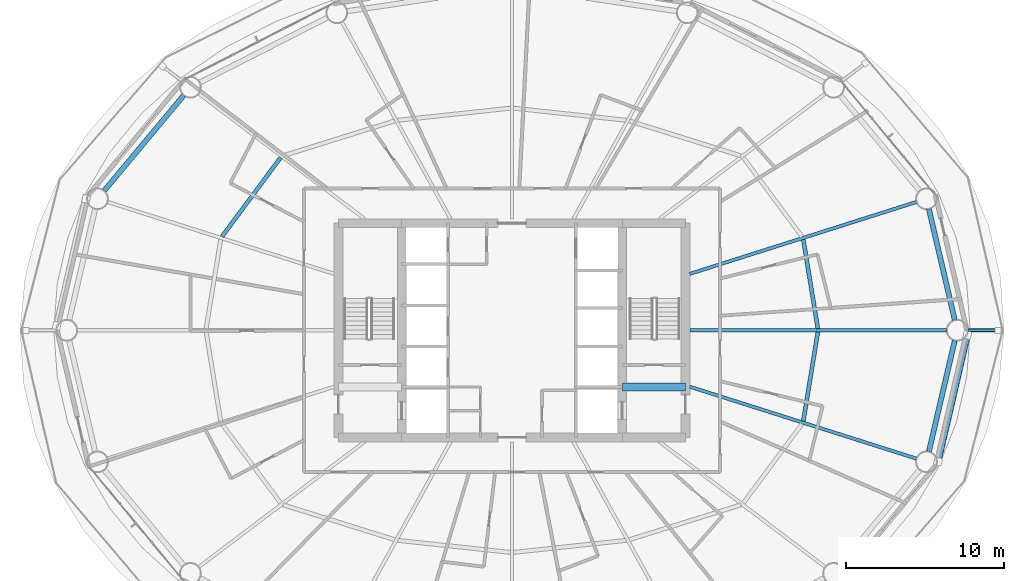
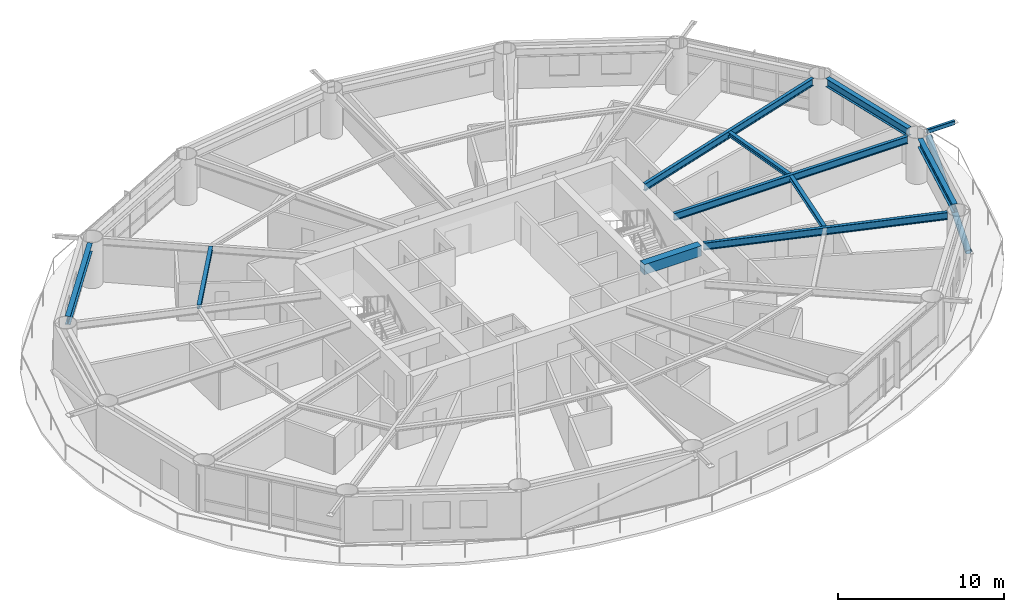
# One storey, part 7 of 24: 10 beams, 2 members.
"""IFC4 building model written with IfcOpenShell, lengths in metres."""

from ifc_helpers import new_model, si_unit, direction, frame, origin, origin_2d, place, context, subcontext, project, spatial, rectangle, hollow_rectangle, hollow_circle, i_section, extrude, material, material_profile, profile_set, type_object, element, save


model = new_model("IFC4")

# Units and contexts
model_context = context("Model", 3, precision=1e-05, world=origin(), true_north=direction((0.0, 1.0)))
body_context = subcontext(model_context, "Body", "Model", "MODEL_VIEW")
ifc_project = project(units=[si_unit("LENGTHUNIT", "METRE"), si_unit("AREAUNIT", "SQUARE_METRE"), si_unit("VOLUMEUNIT", "CUBIC_METRE"), si_unit("PLANEANGLEUNIT", "RADIAN"), si_unit("MASSUNIT", "GRAM", prefix="KILO")], contexts=[model_context])

# Site, building, storey
site_placement = place(None, origin())
site = spatial("IfcSite", under=ifc_project, at=site_placement, CompositionType="ELEMENT")
building_placement = place(site_placement, origin())
building = spatial("IfcBuilding", under=site, at=building_placement, Name="Sarneth Arch Tower", CompositionType="ELEMENT")
storey_placement = place(building_placement, frame((0.0, 0.0, 91.199951171875)))
storey = spatial("IfcBuildingStorey", under=building, at=storey_placement, Name="L22", CompositionType="ELEMENT", Elevation=91.199951171875)

# Beams
ifc_material_1 = material(Name="Steel S355", Category="steel")
ifc_material_profile_1 = material_profile(ifc_material_1, i_section(OverallWidth=0.25390625, OverallDepth=0.305908203125, WebThickness=0.0087890625, FlangeThickness=0.0146484375, FilletRadius=0.014892578125, at=origin_2d()), Name="W310x79")
ifc_profile_set_1 = profile_set([ifc_material_profile_1], Name="Steel S355")
beam_type_1 = type_object("IfcBeamType", Name="BM-JOIST-310A", PredefinedType="JOIST", material=ifc_profile_set_1)
beam_1_placement = place(storey_placement, frame((67.4013671875, 42.10400390625, 3.22705078125), z_axis=(-0.16120310833, 0.986921252109, 0.0), x_axis=(-0.986921252109, -0.16120310833, 0.0)))
element("IfcBeam", 1, at=beam_1_placement, inside=storey, type_object=beam_type_1, Name="L22 Secondary floor joist 01", PredefinedType="JOIST", context=body_context, shape_type="SweptSolid", body=[
    extrude(i_section(OverallWidth=0.25390625, OverallDepth=0.305908203125, WebThickness=0.0087890625, FlangeThickness=0.0146484375, FilletRadius=0.014892578125, at=origin_2d()), origin(), (0.0, 0.0, 1.0), 5.724853515625),
])
beam_2_placement = place(storey_placement, frame((33.32666015625, 52.956787109375, 3.22705078125), z_axis=(-0.596354224217, -0.80272139579, 0.0), x_axis=(0.80272139579, -0.596354224217, 0.0)))
element("IfcBeam", 2, at=beam_2_placement, inside=storey, type_object=beam_type_1, Name="L22 Secondary floor joist 07", PredefinedType="JOIST", context=body_context, shape_type="SweptSolid", body=[
    extrude(i_section(OverallWidth=0.25390625, OverallDepth=0.305908203125, WebThickness=0.0087890625, FlangeThickness=0.0146484375, FilletRadius=0.014892578125, at=origin_2d()), origin(), (0.0, 0.0, 1.0), 6.246337890625),
])
beam_3_placement = place(storey_placement, frame((66.478515625, 36.24609375, 3.22705078125), z_axis=(0.16120310833, 0.986921252109, 0.0), x_axis=(-0.986921252109, 0.16120310833, 0.0)))
element("IfcBeam", 3, at=beam_3_placement, inside=storey, type_object=beam_type_1, Name="L22 Secondary floor joist 16", PredefinedType="JOIST", context=body_context, shape_type="SweptSolid", body=[
    extrude(i_section(OverallWidth=0.25390625, OverallDepth=0.305908203125, WebThickness=0.0087890625, FlangeThickness=0.0146484375, FilletRadius=0.014892578125, at=origin_2d()), origin(), (0.0, 0.0, 1.0), 5.724853515625),
])
ifc_material_2 = material(Name="Concrete C50/60", Category="concrete")
ifc_material_profile_2 = material_profile(ifc_material_2, rectangle(XDim=0.5, YDim=0.75, at=origin_2d()), Name="RC-500x750")
ifc_profile_set_2 = profile_set([ifc_material_profile_2], Name="Concrete C50/60")
beam_type_2 = type_object("IfcBeamType", Name="BM-LINTEL-RC", PredefinedType="LINTEL", material=ifc_profile_set_2)
beam_4_placement = place(storey_placement, frame((55.0, 38.39990234375, 3.005126953125), z_axis=(1.0, 0.0, 0.0), x_axis=(0.0, 1.0, 0.0)))
element("IfcBeam", 4, at=beam_4_placement, inside=storey, type_object=beam_type_2, Name="L22 Core coupling lintel E", PredefinedType="LINTEL", context=body_context, shape_type="SweptSolid", body=[
    extrude(rectangle(XDim=0.5, YDim=0.75, at=origin_2d()), origin(), (0.0, 0.0, 1.0), 4.0),
])
ifc_material_3 = material(Name="Steel S355", Category="steel")
ifc_material_profile_3 = material_profile(ifc_material_3, i_section(OverallWidth=0.2109375, OverallDepth=0.5390625, WebThickness=0.01171875, FlangeThickness=0.018798828125, FilletRadius=0.01806640625, at=origin_2d()), Name="W530x109")
ifc_profile_set_3 = profile_set([ifc_material_profile_3], Name="Steel S355")
beam_type_3 = type_object("IfcBeamType", Name="BM-RAD-530B", PredefinedType="BEAM", material=ifc_profile_set_3)
beam_5_placement = place(storey_placement, frame((59.27490234375, 42.0, 3.110595703125), z_axis=(1.0, 0.0, 0.0), x_axis=(0.0, 1.0, 0.0)))
element("IfcBeam", 5, at=beam_5_placement, inside=storey, type_object=beam_type_3, Name="L22 Radial floor girder 01", PredefinedType="BEAM", context=body_context, shape_type="SweptSolid", body=[
    extrude(i_section(OverallWidth=0.2109375, OverallDepth=0.5390625, WebThickness=0.01171875, FlangeThickness=0.018798828125, FilletRadius=0.01806640625, at=origin_2d()), origin(), (0.0, 0.0, 1.0), 16.28662109375),
])
for number, where, z_axis, x_axis, name in (
    (6, (59.27490234375, 45.57763671875, 3.110595703125), (0.95316257761, 0.302458427958, 0.0), (-0.302458427958, 0.95316257761, 0.0), "L22 Radial floor girder 02"),
    (7, (59.27490234375, 38.42236328125, 3.110595703125), (0.95316257761, -0.302458427958, 0.0), (0.302458427958, 0.95316257761, 0.0), "L22 Radial floor girder 16"),
):
    element("IfcBeam", number, at=place(storey_placement, frame(where, z_axis=z_axis, x_axis=x_axis)), inside=storey, type_object=beam_type_3, Name=name, PredefinedType="BEAM", context=body_context, shape_type="SweptSolid", body=[
        extrude(i_section(OverallWidth=0.2109375, OverallDepth=0.5390625, WebThickness=0.01171875, FlangeThickness=0.018798828125, FilletRadius=0.01806640625, at=origin_2d()), origin(), (0.0, 0.0, 1.0), 15.0791015625),
    ])
ifc_material_4 = material(Name="Steel S355", Category="steel")
ifc_material_profile_4 = material_profile(ifc_material_4, i_section(OverallWidth=0.323974609375, OverallDepth=0.611083984375, WebThickness=0.0126953125, FlangeThickness=0.01904296875, FilletRadius=0.01904296875, at=origin_2d()), Name="W610x155")
ifc_profile_set_4 = profile_set([ifc_material_profile_4], Name="Steel S355")
beam_type_4 = type_object("IfcBeamType", Name="BM-SPAN-610B", PredefinedType="SPANDREL", material=ifc_profile_set_4)
beam_6_placement = place(storey_placement, frame((76.083251953125, 42.657470703125, 3.074462890625), z_axis=(-0.22708522689, 0.973874889156, 0.0), x_axis=(-0.973874889156, -0.22708522689, 0.0)))
element("IfcBeam", 8, at=beam_6_placement, inside=storey, type_object=beam_type_4, Name="L22 Perimeter spandrel beam 01", PredefinedType="SPANDREL", context=body_context, shape_type="SweptSolid", body=[
    extrude(i_section(OverallWidth=0.323974609375, OverallDepth=0.611083984375, WebThickness=0.0126953125, FlangeThickness=0.01904296875, FilletRadius=0.01904296875, at=origin_2d()), origin(), (0.0, 0.0, 1.0), 7.216064453125),
])
beam_7_placement = place(storey_placement, frame((27.170166015625, 56.896484375, 3.074462890625), z_axis=(-0.640169116175, -0.768234015581, 0.0), x_axis=(0.768234015581, -0.640169116175, 0.0)))
element("IfcBeam", 9, at=beam_7_placement, inside=storey, type_object=beam_type_4, Name="L22 Perimeter spandrel beam 07", PredefinedType="SPANDREL", context=body_context, shape_type="SweptSolid", body=[
    extrude(i_section(OverallWidth=0.323974609375, OverallDepth=0.611083984375, WebThickness=0.0126953125, FlangeThickness=0.01904296875, FilletRadius=0.01904296875, at=origin_2d()), origin(), (0.0, 0.0, 1.0), 7.856201171875),
])
beam_8_placement = place(storey_placement, frame((74.444580078125, 34.31494140625, 3.074462890625), z_axis=(0.22708522689, 0.973874889156, 0.0), x_axis=(-0.973874889156, 0.22708522689, 0.0)))
element("IfcBeam", 10, at=beam_8_placement, inside=storey, type_object=beam_type_4, Name="L22 Perimeter spandrel beam 16", PredefinedType="SPANDREL", context=body_context, shape_type="SweptSolid", body=[
    extrude(i_section(OverallWidth=0.323974609375, OverallDepth=0.611083984375, WebThickness=0.0126953125, FlangeThickness=0.01904296875, FilletRadius=0.01904296875, at=origin_2d()), origin(), (0.0, 0.0, 1.0), 7.216064453125),
])

# Members
ifc_material_5 = material(Name="Steel S355", Category="steel")
ifc_material_profile_5 = material_profile(ifc_material_5, hollow_rectangle(XDim=0.199951171875, YDim=0.300048828125, WallThickness=0.012451171875, InnerFilletRadius=0.018798828125, OuterFilletRadius=0.03125, at=origin_2d()), Name="RHS300x200x12.5")
ifc_profile_set_5 = profile_set([ifc_material_profile_5], Name="Steel S355")
member_type_1 = type_object("IfcMemberType", Name="MEM-CANT-STRUT", PredefinedType="STRUT", material=ifc_profile_set_5)
member_1_placement = place(storey_placement, frame((76.91162109375, 42.0, 3.219970703125), z_axis=(1.0, 0.0, 0.0), x_axis=(0.0, 1.0, 0.0)))
element("IfcMember", 11, at=member_1_placement, inside=storey, type_object=member_type_1, Name="L22 Balcony cantilever bracket 01", PredefinedType="STRUT", context=body_context, shape_type="SweptSolid", body=[
    extrude(hollow_rectangle(XDim=0.199951171875, YDim=0.300048828125, WallThickness=0.012451171875, InnerFilletRadius=0.018798828125, OuterFilletRadius=0.03125, at=origin_2d()), origin(), (0.0, 0.0, 1.0), 1.92236328125),
])
ifc_material_6 = material(Name="Steel S355", Category="steel")
ifc_material_profile_6 = material_profile(ifc_material_6, hollow_circle(Radius=0.202880859375, WallThickness=0.01611328125, at=origin_2d()), Name="CHS406x16")
ifc_profile_set_6 = profile_set([ifc_material_profile_6], Name="Steel S355")
member_type_2 = type_object("IfcMemberType", Name="MEM-DIAG-BR2", PredefinedType="BRACE", material=ifc_profile_set_6)
member_2_placement = place(storey_placement, frame((75.01953125, 33.67041015625, 0.02001953125), z_axis=(0.21184573702, 0.915846816603, 0.341095283204), x_axis=(-0.974275349464, 0.225360918143, 0.0)))
element("IfcMember", 12, at=member_2_placement, inside=storey, type_object=member_type_2, Name="L22 Perimeter frame diagonal 16", PredefinedType="BRACE", context=body_context, shape_type="SweptSolid", body=[
    extrude(hollow_circle(Radius=0.202880859375, WallThickness=0.01611328125, at=origin_2d()), origin(), (0.0, 0.0, 1.0), 8.77587890625),
])

save(model, "model.ifc")
